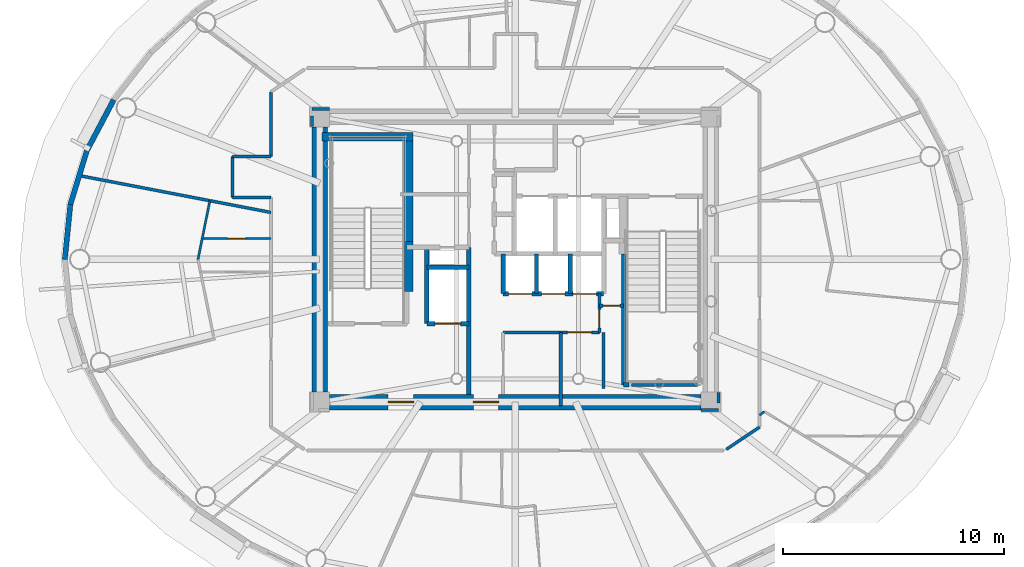
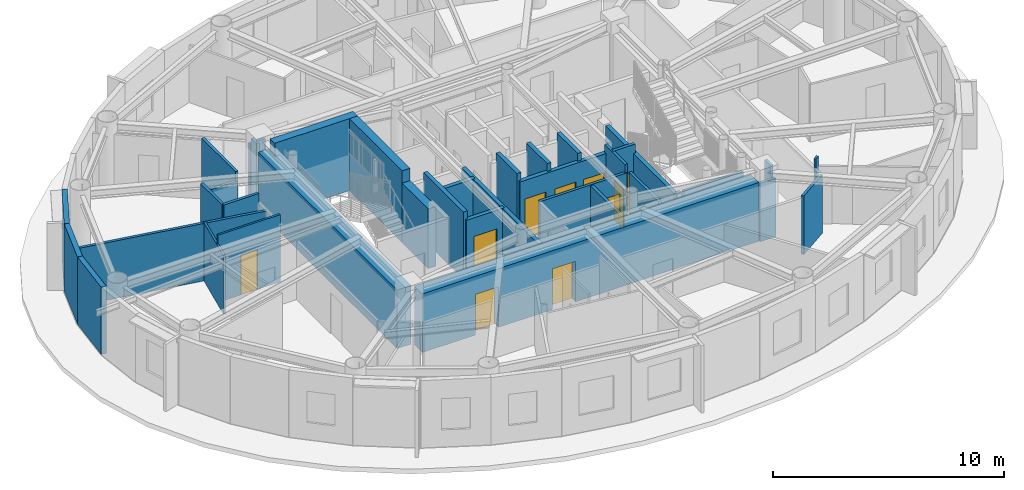
# One storey, part 8 of 17: 37 walls, 10 doors, 10 openings.
"""IFC4 building model written with IfcOpenShell, lengths in metres."""

from ifc_helpers import new_model, si_unit, direction, frame, frame_2d, origin, origin_2d, place, context, subcontext, project, spatial, rectangle, extrude, source, transform, mapped, material, layer, layer_set, type_object, element, fill, save


model = new_model("IFC4")

# Units and contexts
model_context = context("Model", 3, precision=1e-05, world=origin(), true_north=direction((0.0, 1.0)))
body_context = subcontext(model_context, "Body", "Model", "MODEL_VIEW")
ifc_project = project(units=[si_unit("LENGTHUNIT", "METRE"), si_unit("AREAUNIT", "SQUARE_METRE"), si_unit("VOLUMEUNIT", "CUBIC_METRE"), si_unit("PLANEANGLEUNIT", "RADIAN"), si_unit("MASSUNIT", "GRAM", prefix="KILO")], contexts=[model_context])

# Site, building, storey
site_placement = place(None, origin())
site = spatial("IfcSite", under=ifc_project, at=site_placement, CompositionType="ELEMENT")
building_placement = place(site_placement, origin())
building = spatial("IfcBuilding", under=site, at=building_placement, Name="Linh Dai School and Residence Tower", CompositionType="ELEMENT")
storey_placement = place(building_placement, frame((0.0, 0.0, 324.0)))
storey = spatial("IfcBuildingStorey", under=building, at=storey_placement, Name="L80", CompositionType="ELEMENT", Elevation=324.0)

# Walls
ifc_material_1 = material(Name="Precast Concrete B45 (C35/45)", Category="concrete")
ifc_layer_1 = layer(ifc_material_1, 0.239990234375)
ifc_layer_set_1 = layer_set([ifc_layer_1], Name="Precast Concrete B45 (C35/45)")
wall_type_1 = type_object("IfcWallType", Name="EW-TC-240", PredefinedType="SOLIDWALL", material=ifc_layer_set_1)
wall_1_placement = place(storey_placement, frame((16.618896484375, 31.913330078125, 0.0), z_axis=(0.0, 0.0, 1.0), x_axis=(0.467487999989, 0.883999417345, 0.0)))
element("IfcWall", 1, at=wall_1_placement, inside=storey, type_object=wall_type_1, Name="L80 Terracotta Exterior Wall 18", PredefinedType="SOLIDWALL", context=body_context, shape_type="SweptSolid", body=[
    extrude(rectangle(XDim=2.610107421875, YDim=0.239990234375, at=frame_2d((1.30517578125, 0.0))), origin(), (0.0, 0.0, 1.0), 3.550048828125),
])
wall_2_placement = place(storey_placement, frame((15.875, 29.48681640625, 0.0), z_axis=(0.0, 0.0, 1.0), x_axis=(0.293105547213, 0.956080089842, 0.0)))
element("IfcWall", 2, at=wall_2_placement, inside=storey, type_object=wall_type_1, Name="L80 Terracotta Exterior Wall 19", PredefinedType="SOLIDWALL", context=body_context, shape_type="SweptSolid", body=[
    extrude(rectangle(XDim=2.5380859375, YDim=0.239990234375, at=frame_2d((1.26904296875, 0.0))), origin(), (0.0, 0.0, 1.0), 3.550048828125),
])
wall_3_placement = place(storey_placement, frame((15.625, 27.0, 0.0), z_axis=(0.0, 0.0, 1.0), x_axis=(0.100025963401, 0.994984827344, 0.0)))
element("IfcWall", 3, at=wall_3_placement, inside=storey, type_object=wall_type_1, Name="L80 Terracotta Exterior Wall 20", PredefinedType="SOLIDWALL", context=body_context, shape_type="SweptSolid", body=[
    extrude(rectangle(XDim=2.499267578125, YDim=0.239990234375, at=frame_2d((1.24951171875, 0.0))), origin(), (0.0, 0.0, 1.0), 3.550048828125),
])
ifc_material_2 = material(Name="Autoclaved Aerated Concrete Blockwork", Category="masonry")
ifc_layer_2 = layer(ifc_material_2, 0.135009765625)
ifc_layer_set_2 = layer_set([ifc_layer_2], Name="Autoclaved Aerated Concrete Blockwork")
wall_type_2 = type_object("IfcWallType", Name="IW-CORR-135-EI90", PredefinedType="PARTITIONING", material=ifc_layer_set_2)
wall_4_placement = place(storey_placement, frame((16.2705078125, 30.7939453125, 0.0), z_axis=(0.0, 0.0, 1.0), x_axis=(0.982010190218, -0.188827927775, 0.0)))
element("IfcWall", 4, at=wall_4_placement, inside=storey, type_object=wall_type_2, Name="L80 Interior Partition Wall 001", PredefinedType="PARTITIONING", context=body_context, shape_type="SweptSolid", body=[
    extrude(rectangle(XDim=8.83837890625, YDim=0.135009765625, at=frame_2d((4.419189453125, 0.0))), origin(), (0.0, 0.0, 1.0), 3.034912109375),
])
wall_5_placement = place(storey_placement, frame((23.199951171875, 29.800048828125, 0.0), z_axis=(0.0, 0.0, 1.0), x_axis=(0.0, 1.0, 0.0)))
element("IfcWall", 5, at=wall_5_placement, inside=storey, type_object=wall_type_2, Name="L80 Interior Partition Wall 009", PredefinedType="PARTITIONING", context=body_context, shape_type="SweptSolid", body=[
    extrude(rectangle(XDim=1.849853515625, YDim=0.135009765625, at=frame_2d((0.9248046875, 0.0))), origin(), (0.0, 0.0, 1.0), 3.550048828125),
])
wall_6_placement = place(storey_placement, frame((23.199951171875, 29.800048828125, 0.0), z_axis=(0.0, 0.0, 1.0), x_axis=(1.0, 0.0, 0.0)))
element("IfcWall", 6, at=wall_6_placement, inside=storey, type_object=wall_type_2, Name="L80 Interior Partition Wall 010", PredefinedType="PARTITIONING", context=body_context, shape_type="SweptSolid", body=[
    extrude(rectangle(XDim=1.75, YDim=0.135009765625, at=frame_2d((0.875, 0.0))), origin(), (0.0, 0.0, 1.0), 3.550048828125),
])
wall_7_placement = place(storey_placement, frame((23.199951171875, 31.64990234375, 0.0), z_axis=(0.0, 0.0, 1.0), x_axis=(1.0, 0.0, 0.0)))
element("IfcWall", 7, at=wall_7_placement, inside=storey, type_object=wall_type_2, Name="L80 Interior Partition Wall 011", PredefinedType="PARTITIONING", context=body_context, shape_type="SweptSolid", body=[
    extrude(rectangle(XDim=1.75, YDim=0.135009765625, at=frame_2d((0.875, 0.0))), origin(), (0.0, 0.0, 1.0), 3.0849609375),
])
wall_8_placement = place(storey_placement, frame((24.949951171875, 31.64990234375, 0.0), z_axis=(0.0, 0.0, 1.0), x_axis=(0.0, 1.0, 0.0)))
element("IfcWall", 8, at=wall_8_placement, inside=storey, type_object=wall_type_2, Name="L80 Interior Partition Wall 014", PredefinedType="PARTITIONING", context=body_context, shape_type="SweptSolid", body=[
    extrude(rectangle(XDim=2.9326171875, YDim=0.135009765625, at=frame_2d((1.46630859375, 0.0))), origin(), (0.0, 0.0, 1.0), 3.550048828125),
])

# Wall, opening, door
wall_9_placement = place(storey_placement, frame((35.449951171875, 23.699951171875, 0.0), z_axis=(0.0, 0.0, 1.0), x_axis=(1.0, 0.0, 0.0)))
wall_9 = element("IfcWall", 9, at=wall_9_placement, inside=storey, type_object=wall_type_2, Name="L80 Interior Partition Wall 047", PredefinedType="PARTITIONING", context=body_context, shape_type="SweptSolid", body=[
    extrude(rectangle(XDim=4.35009765625, YDim=0.135009765625, at=frame_2d((2.175048828125, 0.0))), origin(), (0.0, 0.0, 1.0), 3.135009765625),
])
opening_1_placement = place(wall_9_placement, frame((2.905029296875, 0.0, 0.0)))
opening_1 = element("IfcOpeningElement", 10, at=opening_1_placement, cuts=wall_9, Name="Opening D07", PredefinedType="OPENING", context=body_context, shape_type="SweptSolid", body=[
    extrude(rectangle(XDim=1.10009765625, YDim=2.14990234375, at=origin_2d()), frame((0.550048828125, 0.07763671875, 1.074951171875), z_axis=(0.0, -1.0, 0.0), x_axis=(1.0, 0.0, 0.0)), (0.0, 0.0, 1.0), 0.155029296875),
])
ifc_material_3 = material(Name="Fire-Rated Louvred Steel Plant Door", Category="steel")
door_type_1 = type_object("IfcDoorType", Name="DR-PLT-1100x2150-FD60S", OperationType="NOTDEFINED", PredefinedType="DOOR", material=ifc_material_3)
shared_shape_1 = source(origin(), body_context, "Body", "SweptSolid", [
    extrude(rectangle(XDim=1.10009765625, YDim=2.14990234375, at=origin_2d()), frame((0.550048828125, 0.02490234375, 1.074951171875), z_axis=(0.0, -1.0, 0.0), x_axis=(1.0, 0.0, 0.0)), (0.0, 0.0, 1.0), 0.050048828125),
])
door_1_placement = place(opening_1_placement, origin())
door_1 = element("IfcDoor", 11, at=door_1_placement, inside=storey, type_object=door_type_1, Name="L80 Telecom Node Room Door", OperationType="SINGLE_SWING_LEFT", OverallHeight=2.14990234375, OverallWidth=1.10009765625, PredefinedType="DOOR", context=body_context, shape_type="MappedRepresentation", body=[
    mapped(shared_shape_1, transform((0.0, 0.0, 0.0), x_axis=(1.0, 0.0, 0.0), y_axis=(0.0, 1.0, 0.0), z_axis=(0.0, 0.0, 1.0), scale=1.0)),
])
fill(opening_1, door_1)

wall_10_placement = place(storey_placement, frame((39.800048828125, 23.699951171875, 0.0), z_axis=(0.0, 0.0, 1.0), x_axis=(0.0, 1.0, 0.0)))
wall_10 = element("IfcWall", 12, at=wall_10_placement, inside=storey, type_object=wall_type_2, Name="L80 Interior Partition Wall 065", PredefinedType="PARTITIONING", context=body_context, shape_type="SweptSolid", body=[
    extrude(rectangle(XDim=1.75, YDim=0.135009765625, at=frame_2d((0.875, 0.0))), origin(), (0.0, 0.0, 1.0), 3.550048828125),
])
opening_2_placement = place(wall_10_placement, frame((0.2099609375, 0.0, 0.0)))
opening_2 = element("IfcOpeningElement", 13, at=opening_2_placement, cuts=wall_10, Name="Opening D06", PredefinedType="OPENING", context=body_context, shape_type="SweptSolid", body=[
    extrude(rectangle(XDim=0.820068359375, YDim=2.10009765625, at=origin_2d()), frame((0.41015625, 0.07763671875, 1.050048828125), z_axis=(0.0, -1.0, 0.0), x_axis=(1.0, 0.0, 0.0)), (0.0, 0.0, 1.0), 0.155029296875),
])
ifc_material_4 = material(Name="Moisture-Resistant Timber Bathroom Door", Category="wood")
door_type_2 = type_object("IfcDoorType", Name="DR-WET-820x2100", OperationType="NOTDEFINED", PredefinedType="DOOR", material=ifc_material_4)
shared_shape_2 = source(origin(), body_context, "Body", "SweptSolid", [
    extrude(rectangle(XDim=0.820068359375, YDim=2.10009765625, at=origin_2d()), frame((0.41015625, 0.02490234375, 1.050048828125), z_axis=(0.0, -1.0, 0.0), x_axis=(1.0, 0.0, 0.0)), (0.0, 0.0, 1.0), 0.050048828125),
])
door_2_placement = place(opening_2_placement, origin())
door_2 = element("IfcDoor", 14, at=door_2_placement, inside=storey, type_object=door_type_2, Name="L80 SE Electrical Closet Door", OperationType="SINGLE_SWING_LEFT", OverallHeight=2.10009765625, OverallWidth=0.820068359375, PredefinedType="DOOR", context=body_context, shape_type="MappedRepresentation", body=[
    mapped(shared_shape_2, transform((0.0, 0.0, 0.0), x_axis=(1.0, 0.0, 0.0), y_axis=(0.0, 1.0, 0.0), z_axis=(0.0, 0.0, 1.0), scale=1.0)),
])
fill(opening_2, door_2)

# Walls
wall_11_placement = place(storey_placement, frame((45.541259765625, 18.408203125, 0.0), z_axis=(0.0, 0.0, 1.0), x_axis=(0.831180227396, 0.556003084151, 0.0)))
element("IfcWall", 15, at=wall_11_placement, inside=storey, type_object=wall_type_2, Name="L80 Interior Partition Wall 072", PredefinedType="PARTITIONING", context=body_context, shape_type="SweptSolid", body=[
    extrude(rectangle(XDim=1.815185546875, YDim=0.135009765625, at=frame_2d((0.90771484375, 0.0))), origin(), (0.0, 0.0, 1.0), 3.0849609375),
])
wall_12_placement = place(storey_placement, frame((44.239990234375, 21.330078125, 0.0), z_axis=(0.0, 0.0, 1.0), x_axis=(-1.0, 0.0, 0.0)))
element("IfcWall", 16, at=wall_12_placement, inside=storey, type_object=wall_type_2, Name="L80 Interior Partition Wall 084", PredefinedType="PARTITIONING", context=body_context, shape_type="SweptSolid", body=[
    extrude(rectangle(XDim=2.97998046875, YDim=0.135009765625, at=frame_2d((1.489990234375, 0.0))), origin(), (0.0, 0.0, 1.0), 3.0849609375),
])
wall_13_placement = place(storey_placement, frame((40.0, 23.699951171875, 0.0), z_axis=(0.0, 0.0, 1.0), x_axis=(0.0, -1.0, 0.0)))
element("IfcWall", 17, at=wall_13_placement, inside=storey, type_object=wall_type_2, Name="L80 Interior Partition Wall 085", PredefinedType="PARTITIONING", context=body_context, shape_type="SweptSolid", body=[
    extrude(rectangle(XDim=2.5400390625, YDim=0.135009765625, at=frame_2d((1.27001953125, 0.0))), origin(), (0.0, 0.0, 1.0), 3.0849609375),
])
wall_14_placement = place(storey_placement, frame((27.590087890625, 33.800048828125, 0.0), z_axis=(0.0, 0.0, 1.0), x_axis=(-1.0, 0.0, 0.0)))
element("IfcWall", 18, at=wall_14_placement, inside=storey, type_object=wall_type_2, Name="L80 Interior Partition Wall 087", PredefinedType="PARTITIONING", context=body_context, shape_type="SweptSolid", body=[
    extrude(rectangle(XDim=0.7900390625, YDim=0.135009765625, at=frame_2d((0.39501953125, 0.0))), origin(), (0.0, 0.0, 1.0), 3.0849609375),
])
wall_15_placement = place(storey_placement, frame((26.800048828125, 33.492431640625, 0.0), z_axis=(0.0, 0.0, 1.0), x_axis=(0.0, -1.0, 0.0)))
element("IfcWall", 19, at=wall_15_placement, inside=storey, type_object=wall_type_2, Name="L80 Interior Partition Wall 088", PredefinedType="PARTITIONING", context=body_context, shape_type="SweptSolid", body=[
    extrude(rectangle(XDim=0.482421875, YDim=0.135009765625, at=frame_2d((0.2412109375, 0.0))), origin(), (0.0, 0.0, 1.0), 3.550048828125),
])
wall_16_placement = place(storey_placement, frame((44.409912109375, 20.199951171875, 0.0), z_axis=(0.0, 0.0, 1.0), x_axis=(1.0, 0.0, 0.0)))
element("IfcWall", 20, at=wall_16_placement, inside=storey, type_object=wall_type_2, Name="L80 Interior Partition Wall 091", PredefinedType="PARTITIONING", context=body_context, shape_type="SweptSolid", body=[
    extrude(rectangle(XDim=0.7900390625, YDim=0.135009765625, at=frame_2d((0.39501953125, 0.0))), origin(), (0.0, 0.0, 1.0), 3.0849609375),
])
wall_17_placement = place(storey_placement, frame((45.199951171875, 20.507568359375, 0.0), z_axis=(0.0, 0.0, 1.0), x_axis=(0.0, 1.0, 0.0)))
element("IfcWall", 21, at=wall_17_placement, inside=storey, type_object=wall_type_2, Name="L80 Interior Partition Wall 092", PredefinedType="PARTITIONING", context=body_context, shape_type="SweptSolid", body=[
    extrude(rectangle(XDim=0.482421875, YDim=0.135009765625, at=frame_2d((0.2412109375, 0.0))), origin(), (0.0, 0.0, 1.0), 3.550048828125),
])
ifc_layer_3 = layer(ifc_material_2, 0.14990234375)
ifc_layer_set_3 = layer_set([ifc_layer_3], Name="Autoclaved Aerated Concrete Blockwork")
wall_type_3 = type_object("IfcWallType", Name="IW-SCH-150-EI60", PredefinedType="PARTITIONING", material=ifc_layer_set_3)
wall_18_placement = place(storey_placement, frame((38.050048828125, 20.3798828125, 0.0), z_axis=(0.0, 0.0, 1.0), x_axis=(0.0, 1.0, 0.0)))
element("IfcWall", 22, at=wall_18_placement, inside=storey, type_object=wall_type_3, Name="L80 Interior Partition Wall 062", PredefinedType="PARTITIONING", context=body_context, shape_type="SweptSolid", body=[
    extrude(rectangle(XDim=3.320068359375, YDim=0.14990234375, at=frame_2d((1.66015625, 0.0))), origin(), (0.0, 0.0, 1.0), 3.0849609375),
])

# Wall, opening, door
wall_19_placement = place(storey_placement, frame((39.800048828125, 24.89990234375, 0.0), z_axis=(0.0, 0.0, 1.0), x_axis=(1.0, 0.0, 0.0)))
wall_19 = element("IfcWall", 23, at=wall_19_placement, inside=storey, type_object=wall_type_3, Name="L80 Interior Partition Wall 066", PredefinedType="PARTITIONING", context=body_context, shape_type="SweptSolid", body=[
    extrude(rectangle(XDim=1.099853515625, YDim=0.14990234375, at=frame_2d((0.5498046875, 0.0))), origin(), (0.0, 0.0, 1.0), 3.550048828125),
])
opening_3_placement = place(wall_19_placement, frame((0.169921875, 0.0, 0.0)))
opening_3 = element("IfcOpeningElement", 24, at=opening_3_placement, cuts=wall_19, Name="Opening D08", PredefinedType="OPENING", context=body_context, shape_type="SweptSolid", body=[
    extrude(rectangle(XDim=0.760009765625, YDim=2.10009765625, at=origin_2d()), frame((0.3798828125, 0.0849609375, 1.050048828125), z_axis=(0.0, -1.0, 0.0), x_axis=(1.0, 0.0, 0.0)), (0.0, 0.0, 1.0), 0.169921875),
])
ifc_material_5 = material(Name="Engineered Timber Closet and Study Door", Category="wood")
door_type_3 = type_object("IfcDoorType", Name="DR-CMP-760x2100", OperationType="NOTDEFINED", PredefinedType="DOOR", material=ifc_material_5)
shared_shape_3 = source(origin(), body_context, "Body", "SweptSolid", [
    extrude(rectangle(XDim=0.760009765625, YDim=2.10009765625, at=origin_2d()), frame((0.3798828125, 0.02490234375, 1.050048828125), z_axis=(0.0, -1.0, 0.0), x_axis=(1.0, 0.0, 0.0)), (0.0, 0.0, 1.0), 0.050048828125),
])
door_3_placement = place(opening_3_placement, origin())
door_3 = element("IfcDoor", 25, at=door_3_placement, inside=storey, type_object=door_type_3, Name="L80 NE Equipment Store Door", OperationType="SINGLE_SWING_RIGHT", OverallHeight=2.10009765625, OverallWidth=0.760009765625, PredefinedType="DOOR", context=body_context, shape_type="MappedRepresentation", body=[
    mapped(shared_shape_3, transform((0.0, 0.0, 0.0), x_axis=(1.0, 0.0, 0.0), y_axis=(0.0, 1.0, 0.0), z_axis=(0.0, 0.0, 1.0), scale=1.0)),
])
fill(opening_3, door_3)

# Wall
ifc_material_6 = material(Name="Concrete B45 (C35/45)", Category="concrete")
ifc_layer_4 = layer(ifc_material_6, 0.199951171875)
ifc_layer_set_4 = layer_set([ifc_layer_4], Name="Concrete B45 (C35/45)")
wall_type_4 = type_object("IfcWallType", Name="IW-SHAFT-200-EI120", PredefinedType="PARTITIONING", material=ifc_layer_set_4)
wall_20_placement = place(storey_placement, frame((32.0, 24.10009765625, 0.0), z_axis=(0.0, 0.0, 1.0), x_axis=(0.0, 1.0, 0.0)))
element("IfcWall", 26, at=wall_20_placement, inside=storey, type_object=wall_type_4, Name="L80 Interior Partition Wall 029", PredefinedType="PARTITIONING", context=body_context, shape_type="SweptSolid", body=[
    extrude(rectangle(XDim=3.449951171875, YDim=0.199951171875, at=frame_2d((1.72509765625, 0.0))), origin(), (0.0, 0.0, 1.0), 3.550048828125),
])

# Wall, opening, door
wall_21_placement = place(storey_placement, frame((32.0, 24.10009765625, 0.0), z_axis=(0.0, 0.0, 1.0), x_axis=(1.0, 0.0, 0.0)))
wall_21 = element("IfcWall", 27, at=wall_21_placement, inside=storey, type_object=wall_type_4, Name="L80 Interior Partition Wall 030", PredefinedType="PARTITIONING", context=body_context, shape_type="SweptSolid", body=[
    extrude(rectangle(XDim=1.89990234375, YDim=0.199951171875, at=frame_2d((0.949951171875, 0.0))), origin(), (0.0, 0.0, 1.0), 3.135009765625),
])
opening_4_placement = place(wall_21_placement, frame((0.375, 0.0, 0.0)))
opening_4 = element("IfcOpeningElement", 28, at=opening_4_placement, cuts=wall_21, Name="Opening LD-FF2", PredefinedType="OPENING", context=body_context, shape_type="SweptSolid", body=[
    extrude(rectangle(XDim=1.14990234375, YDim=2.14990234375, at=origin_2d()), frame((0.574951171875, 0.10986328125, 1.074951171875), z_axis=(0.0, -1.0, 0.0), x_axis=(1.0, 0.0, 0.0)), (0.0, 0.0, 1.0), 0.219970703125),
])
ifc_material_7 = material(Name="Fire-Rated Stainless Steel Firefighting Lift Door", Category="steel")
door_type_4 = type_object("IfcDoorType", Name="DR-LD-FF-1150x2150-FD120", OperationType="DOUBLE_DOOR_SLIDING", PredefinedType="USERDEFINED", material=ifc_material_7)
shared_shape_4 = source(origin(), body_context, "Body", "SweptSolid", [
    extrude(rectangle(XDim=1.14990234375, YDim=2.14990234375, at=origin_2d()), frame((0.574951171875, 0.02490234375, 1.074951171875), z_axis=(0.0, -1.0, 0.0), x_axis=(1.0, 0.0, 0.0)), (0.0, 0.0, 1.0), 0.050048828125),
])
door_4_placement = place(opening_4_placement, origin())
door_4 = element("IfcDoor", 29, at=door_4_placement, inside=storey, type_object=door_type_4, Name="L80 Lift FF2 Sliding Landing Door", ObjectType="LANDING DOOR", OperationType="DOUBLE_DOOR_SLIDING", OverallHeight=2.14990234375, OverallWidth=1.14990234375, PredefinedType="USERDEFINED", context=body_context, shape_type="MappedRepresentation", body=[
    mapped(shared_shape_4, transform((0.0, 0.0, 0.0), x_axis=(1.0, 0.0, 0.0), y_axis=(0.0, 1.0, 0.0), z_axis=(0.0, 0.0, 1.0), scale=1.0)),
])
fill(opening_4, door_4)

# Walls
wall_22_placement = place(storey_placement, frame((32.0, 26.64990234375, 0.0), z_axis=(0.0, 0.0, 1.0), x_axis=(1.0, 0.0, 0.0)))
element("IfcWall", 30, at=wall_22_placement, inside=storey, type_object=wall_type_4, Name="L80 Interior Partition Wall 031", PredefinedType="PARTITIONING", context=body_context, shape_type="SweptSolid", body=[
    extrude(rectangle(XDim=1.89990234375, YDim=0.199951171875, at=frame_2d((0.949951171875, 0.0))), origin(), (0.0, 0.0, 1.0), 3.135009765625),
])
wall_23_placement = place(storey_placement, frame((33.89990234375, 20.89990234375, 0.0), z_axis=(0.0, 0.0, 1.0), x_axis=(0.0, 1.0, 0.0)))
element("IfcWall", 31, at=wall_23_placement, inside=storey, type_object=wall_type_4, Name="L80 Interior Partition Wall 033", PredefinedType="PARTITIONING", context=body_context, shape_type="SweptSolid", body=[
    extrude(rectangle(XDim=6.650146484375, YDim=0.199951171875, at=frame_2d((3.3251953125, 0.0))), origin(), (0.0, 0.0, 1.0), 3.135009765625),
])
wall_24_placement = place(storey_placement, frame((35.449951171875, 25.449951171875, 0.0), z_axis=(0.0, 0.0, 1.0), x_axis=(0.0, 1.0, 0.0)))
element("IfcWall", 32, at=wall_24_placement, inside=storey, type_object=wall_type_4, Name="L80 Interior Partition Wall 048", PredefinedType="PARTITIONING", context=body_context, shape_type="SweptSolid", body=[
    extrude(rectangle(XDim=1.800048828125, YDim=0.199951171875, at=frame_2d((0.89990234375, 0.0))), origin(), (0.0, 0.0, 1.0), 3.550048828125),
])

# Wall, openings, doors
wall_25_placement = place(storey_placement, frame((35.449951171875, 25.449951171875, 0.0), z_axis=(0.0, 0.0, 1.0), x_axis=(1.0, 0.0, 0.0)))
wall_25 = element("IfcWall", 33, at=wall_25_placement, inside=storey, type_object=wall_type_4, Name="L80 Interior Partition Wall 049", PredefinedType="PARTITIONING", context=body_context, shape_type="SweptSolid", body=[
    extrude(rectangle(XDim=4.550048828125, YDim=0.199951171875, at=frame_2d((2.27490234375, 0.0))), origin(), (0.0, 0.0, 1.0), 3.135009765625),
])
opening_5_placement = place(wall_25_placement, frame((0.25, 0.0, 0.0)))
opening_5 = element("IfcOpeningElement", 34, at=opening_5_placement, cuts=wall_25, Name="Opening LD-PL7", PredefinedType="OPENING", context=body_context, shape_type="SweptSolid", body=[
    extrude(rectangle(XDim=1.050048828125, YDim=2.14990234375, at=origin_2d()), frame((0.52490234375, 0.10986328125, 1.074951171875), z_axis=(0.0, -1.0, 0.0), x_axis=(1.0, 0.0, 0.0)), (0.0, 0.0, 1.0), 0.219970703125),
])
opening_6_placement = place(wall_25_placement, frame((1.7451171875, 0.0, 0.0)))
opening_6 = element("IfcOpeningElement", 35, at=opening_6_placement, cuts=wall_25, Name="Opening LD-PL8", PredefinedType="OPENING", context=body_context, shape_type="SweptSolid", body=[
    extrude(rectangle(XDim=1.050048828125, YDim=2.14990234375, at=origin_2d()), frame((0.52490234375, 0.10986328125, 1.074951171875), z_axis=(0.0, -1.0, 0.0), x_axis=(1.0, 0.0, 0.0)), (0.0, 0.0, 1.0), 0.219970703125),
])
opening_7_placement = place(wall_25_placement, frame((3.1650390625, 0.0, 0.0)))
opening_7 = element("IfcOpeningElement", 36, at=opening_7_placement, cuts=wall_25, Name="Opening LD-PL9", PredefinedType="OPENING", context=body_context, shape_type="SweptSolid", body=[
    extrude(rectangle(XDim=1.050048828125, YDim=2.14990234375, at=origin_2d()), frame((0.52490234375, 0.10986328125, 1.074951171875), z_axis=(0.0, -1.0, 0.0), x_axis=(1.0, 0.0, 0.0)), (0.0, 0.0, 1.0), 0.219970703125),
])
ifc_material_8 = material(Name="Brushed Stainless Steel Lift Landing Door", Category="steel")
door_type_5 = type_object("IfcDoorType", Name="DR-LD-PASS-1050x2150", OperationType="DOUBLE_DOOR_SLIDING", PredefinedType="USERDEFINED", material=ifc_material_8)
shared_shape_5 = source(origin(), body_context, "Body", "SweptSolid", [
    extrude(rectangle(XDim=1.050048828125, YDim=2.14990234375, at=origin_2d()), frame((0.52490234375, 0.02490234375, 1.074951171875), z_axis=(0.0, -1.0, 0.0), x_axis=(1.0, 0.0, 0.0)), (0.0, 0.0, 1.0), 0.050048828125),
])
door_5_placement = place(opening_5_placement, origin())
door_5 = element("IfcDoor", 37, at=door_5_placement, inside=storey, type_object=door_type_5, Name="L80 Lift PL7 Sliding Landing Door", ObjectType="LANDING DOOR", OperationType="DOUBLE_DOOR_SLIDING", OverallHeight=2.14990234375, OverallWidth=1.050048828125, PredefinedType="USERDEFINED", context=body_context, shape_type="MappedRepresentation", body=[
    mapped(shared_shape_5, transform((0.0, 0.0, 0.0), x_axis=(1.0, 0.0, 0.0), y_axis=(0.0, 1.0, 0.0), z_axis=(0.0, 0.0, 1.0), scale=1.0)),
])
fill(opening_5, door_5)
door_6_placement = place(opening_6_placement, origin())
door_6 = element("IfcDoor", 38, at=door_6_placement, inside=storey, type_object=door_type_5, Name="L80 Lift PL8 Sliding Landing Door", ObjectType="LANDING DOOR", OperationType="DOUBLE_DOOR_SLIDING", OverallHeight=2.14990234375, OverallWidth=1.050048828125, PredefinedType="USERDEFINED", context=body_context, shape_type="MappedRepresentation", body=[
    mapped(shared_shape_5, transform((0.0, 0.0, 0.0), x_axis=(1.0, 0.0, 0.0), y_axis=(0.0, 1.0, 0.0), z_axis=(0.0, 0.0, 1.0), scale=1.0)),
])
fill(opening_6, door_6)
door_7_placement = place(opening_7_placement, origin())
door_7 = element("IfcDoor", 39, at=door_7_placement, inside=storey, type_object=door_type_5, Name="L80 Lift PL9 Sliding Landing Door", ObjectType="LANDING DOOR", OperationType="DOUBLE_DOOR_SLIDING", OverallHeight=2.14990234375, OverallWidth=1.050048828125, PredefinedType="USERDEFINED", context=body_context, shape_type="MappedRepresentation", body=[
    mapped(shared_shape_5, transform((0.0, 0.0, 0.0), x_axis=(1.0, 0.0, 0.0), y_axis=(0.0, 1.0, 0.0), z_axis=(0.0, 0.0, 1.0), scale=1.0)),
])
fill(opening_7, door_7)

# Walls
for number, where, z_axis, x_axis, name in (
    (40, (36.9599609375, 25.449951171875, 0.0), (0.0, 0.0, 1.0), (0.0, 1.0, 0.0), "L80 Interior Partition Wall 059"),
    (41, (38.47998046875, 25.449951171875, 0.0), (0.0, 0.0, 1.0), (0.0, 1.0, 0.0), "L80 Interior Partition Wall 064"),
):
    element("IfcWall", number, at=place(storey_placement, frame(where, z_axis=z_axis, x_axis=x_axis)), inside=storey, type_object=wall_type_4, Name=name, PredefinedType="PARTITIONING", context=body_context, shape_type="SweptSolid", body=[
        extrude(rectangle(XDim=1.800048828125, YDim=0.199951171875, at=frame_2d((0.89990234375, 0.0))), origin(), (0.0, 0.0, 1.0), 3.550048828125),
    ])
wall_26_placement = place(storey_placement, frame((40.89990234375, 21.330078125, 0.0), z_axis=(0.0, 0.0, 1.0), x_axis=(0.0, 1.0, 0.0)))
element("IfcWall", 42, at=wall_26_placement, inside=storey, type_object=wall_type_4, Name="L80 Interior Partition Wall 069", PredefinedType="PARTITIONING", context=body_context, shape_type="SweptSolid", body=[
    extrude(rectangle(XDim=5.909912109375, YDim=0.199951171875, at=frame_2d((2.955078125, 0.0))), origin(), (0.0, 0.0, 1.0), 3.0849609375),
])
wall_27_placement = place(storey_placement, frame((40.89990234375, 21.330078125, 0.0), z_axis=(0.0, 0.0, 1.0), x_axis=(1.0, 0.0, 0.0)))
element("IfcWall", 43, at=wall_27_placement, inside=storey, type_object=wall_type_4, Name="L80 Interior Partition Wall 070", PredefinedType="PARTITIONING", context=body_context, shape_type="SweptSolid", body=[
    extrude(rectangle(XDim=0.25, YDim=0.199951171875, at=frame_2d((0.125, 0.0))), origin(), (0.0, 0.0, 1.0), 3.0849609375),
])
ifc_material_9 = material(Name="Gypsum Plasterboard Acoustic Stud Partition", Category="masonry")
ifc_layer_5 = layer(ifc_material_9, 0.10009765625)
ifc_layer_set_5 = layer_set([ifc_layer_5], Name="Gypsum Plasterboard Acoustic Stud Partition")
wall_type_5 = type_object("IfcWallType", Name="IW-UNIT-100", PredefinedType="PARTITIONING", material=ifc_layer_set_5)
wall_28_placement = place(storey_placement, frame((21.64990234375, 27.0, 0.0), z_axis=(0.0, 0.0, 1.0), x_axis=(0.198281206713, 0.980145174484, 0.0)))
element("IfcWall", 44, at=wall_28_placement, inside=storey, type_object=wall_type_5, Name="L80 Interior Partition Wall 004", PredefinedType="PARTITIONING", context=body_context, shape_type="SweptSolid", body=[
    extrude(rectangle(XDim=2.7099609375, YDim=0.10009765625, at=frame_2d((1.35498046875, 0.0))), origin(), (0.0, 0.0, 1.0), 3.0849609375),
])

# Wall, opening, door
wall_29_placement = place(storey_placement, frame((21.84033203125, 27.940673828125, 0.0), z_axis=(0.0, 0.0, 1.0), x_axis=(1.0, 0.0, 0.0)))
wall_29 = element("IfcWall", 45, at=wall_29_placement, inside=storey, type_object=wall_type_5, Name="L80 Interior Partition Wall 007", PredefinedType="PARTITIONING", context=body_context, shape_type="SweptSolid", body=[
    extrude(rectangle(XDim=3.109619140625, YDim=0.10009765625, at=frame_2d((1.5546875, 0.0))), origin(), (0.0, 0.0, 1.0), 3.550048828125),
])
opening_8_placement = place(wall_29_placement, frame((1.14501953125, 0.0, 0.0)))
opening_8 = element("IfcOpeningElement", 46, at=opening_8_placement, cuts=wall_29, Name="Opening D06", PredefinedType="OPENING", context=body_context, shape_type="SweptSolid", body=[
    extrude(rectangle(XDim=0.820068359375, YDim=2.10009765625, at=origin_2d()), frame((0.41015625, 0.06005859375, 1.050048828125), z_axis=(0.0, -1.0, 0.0), x_axis=(1.0, 0.0, 0.0)), (0.0, 0.0, 1.0), 0.1201171875),
])
door_8_placement = place(opening_8_placement, origin())
door_8 = element("IfcDoor", 47, at=door_8_placement, inside=storey, type_object=door_type_2, Name="L80 Apartment U8002 Bathroom 1 Door", OperationType="SINGLE_SWING_RIGHT", OverallHeight=2.10009765625, OverallWidth=0.820068359375, PredefinedType="DOOR", context=body_context, shape_type="MappedRepresentation", body=[
    mapped(shared_shape_2, transform((0.0, 0.0, 0.0), x_axis=(1.0, 0.0, 0.0), y_axis=(0.0, 1.0, 0.0), z_axis=(0.0, 0.0, 1.0), scale=1.0)),
])
fill(opening_8, door_8)

# Walls
wall_30_placement = place(storey_placement, frame((47.050048828125, 19.9560546875, 0.0), z_axis=(0.0, 0.0, 1.0), x_axis=(0.787352373383, 0.616503236105, 0.0)))
element("IfcWall", 48, at=wall_30_placement, inside=storey, type_object=wall_type_5, Name="L80 Interior Partition Wall 075", PredefinedType="PARTITIONING", context=body_context, shape_type="SweptSolid", body=[
    extrude(rectangle(XDim=0.27001953125, YDim=0.10009765625, at=frame_2d((0.135009765625, 0.0))), origin(), (0.0, 0.0, 1.0), 3.550048828125),
])
ifc_layer_6 = layer(ifc_material_6, 0.39990234375)
ifc_layer_set_6 = layer_set([ifc_layer_6], Name="Concrete B45 (C35/45)")
wall_type_6 = type_object("IfcWallType", Name="WL-CORE400", PredefinedType="SHEAR", material=ifc_layer_set_6)
wall_31_placement = place(storey_placement, frame((31.179931640625, 27.800048828125, 0.0), z_axis=(0.0, 0.0, 1.0), x_axis=(0.0, 1.0, 0.0)))
element("IfcWall", 49, at=wall_31_placement, inside=storey, type_object=wall_type_6, Name="L80 Core Stair ST1 Bearing Wall E", PredefinedType="SHEAR", context=body_context, shape_type="SweptSolid", body=[
    extrude(rectangle(XDim=4.75, YDim=0.39990234375, at=frame_2d((2.375, 0.0))), origin(), (0.0, 0.0, 1.0), 3.800048828125),
])
wall_32_placement = place(storey_placement, frame((27.25, 32.550048828125, 0.0), z_axis=(0.0, 0.0, 1.0), x_axis=(1.0, 0.0, 0.0)))
element("IfcWall", 50, at=wall_32_placement, inside=storey, type_object=wall_type_6, Name="L80 Core Stair ST1 Bearing Wall N", PredefinedType="SHEAR", context=body_context, shape_type="SweptSolid", body=[
    extrude(rectangle(XDim=4.1298828125, YDim=0.39990234375, at=frame_2d((2.06494140625, 0.0))), origin(), (0.0, 0.0, 1.0), 3.800048828125),
])
wall_33_placement = place(storey_placement, frame((31.179931640625, 25.550048828125, 0.0), z_axis=(0.0, 0.0, 1.0), x_axis=(0.0, 1.0, 0.0)))
element("IfcWall", 51, at=wall_33_placement, inside=storey, type_object=wall_type_6, Name="L80 Internal Core Shear Wall IW", PredefinedType="SHEAR", context=body_context, shape_type="SweptSolid", body=[
    extrude(rectangle(XDim=2.25, YDim=0.39990234375, at=frame_2d((1.125, 0.0))), origin(), (0.0, 0.0, 1.0), 3.14990234375),
])

# Wall, openings, doors
ifc_layer_7 = layer(ifc_material_6, 0.699951171875)
ifc_layer_set_7 = layer_set([ifc_layer_7], Name="Concrete B45 (C35/45)")
wall_type_7 = type_object("IfcWallType", Name="WL-CORE700", PredefinedType="SHEAR", material=ifc_layer_set_7)
wall_34_placement = place(storey_placement, frame((44.39990234375, 20.550048828125, 0.0), z_axis=(0.0, 0.0, 1.0), x_axis=(-1.0, 0.0, 0.0)))
wall_34 = element("IfcWall", 52, at=wall_34_placement, inside=storey, type_object=wall_type_7, Name="L80 Central Core Shear Wall S", PredefinedType="SHEAR", context=body_context, shape_type="SweptSolid", body=[
    extrude(rectangle(XDim=16.7998046875, YDim=0.699951171875, at=frame_2d((8.39990234375, 0.0))), origin(), (0.0, 0.0, 1.0), 3.10009765625),
])
opening_9_placement = place(wall_34_placement, frame((13.0, 0.0, 0.0)))
opening_9 = element("IfcOpeningElement", 53, at=opening_9_placement, cuts=wall_34, Name="Opening D02", PredefinedType="OPENING", context=body_context, shape_type="SweptSolid", body=[
    extrude(rectangle(XDim=1.14990234375, YDim=2.14990234375, at=origin_2d()), frame((0.574951171875, 0.35986328125, 1.074951171875), z_axis=(0.0, -1.0, 0.0), x_axis=(1.0, 0.0, 0.0)), (0.0, 0.0, 1.0), 0.719970703125),
])
opening_10_placement = place(wall_34_placement, frame((9.14990234375, 0.0, 0.0)))
opening_10 = element("IfcOpeningElement", 54, at=opening_10_placement, cuts=wall_34, Name="Opening D02", PredefinedType="OPENING", context=body_context, shape_type="SweptSolid", body=[
    extrude(rectangle(XDim=1.14990234375, YDim=2.14990234375, at=origin_2d()), frame((0.574951171875, 0.35986328125, 1.074951171875), z_axis=(0.0, -1.0, 0.0), x_axis=(1.0, 0.0, 0.0)), (0.0, 0.0, 1.0), 0.719970703125),
])
ifc_material_10 = material(Name="Fire-Rated Glazed Steel Lobby Door", Category="steel")
door_type_6 = type_object("IfcDoorType", Name="DR-LOBBY-1150x2150-FD90S", OperationType="NOTDEFINED", PredefinedType="DOOR", material=ifc_material_10)
shared_shape_6 = source(origin(), body_context, "Body", "SweptSolid", [
    extrude(rectangle(XDim=1.14990234375, YDim=2.14990234375, at=origin_2d()), frame((0.574951171875, 0.02490234375, 1.074951171875), z_axis=(0.0, -1.0, 0.0), x_axis=(1.0, 0.0, 0.0)), (0.0, 0.0, 1.0), 0.050048828125),
])
door_9_placement = place(opening_9_placement, origin())
door_9 = element("IfcDoor", 55, at=door_9_placement, inside=storey, type_object=door_type_6, Name="L80 Firefighting Lobby Door", OperationType="SINGLE_SWING_RIGHT", OverallHeight=2.14990234375, OverallWidth=1.14990234375, PredefinedType="DOOR", context=body_context, shape_type="MappedRepresentation", body=[
    mapped(shared_shape_6, transform((0.0, 0.0, 0.0), x_axis=(1.0, 0.0, 0.0), y_axis=(0.0, 1.0, 0.0), z_axis=(0.0, 0.0, 1.0), scale=1.0)),
])
fill(opening_9, door_9)
door_10_placement = place(opening_10_placement, origin())
door_10 = element("IfcDoor", 56, at=door_10_placement, inside=storey, type_object=door_type_6, Name="L80 Passenger Foyer Access Door", OperationType="SINGLE_SWING_RIGHT", OverallHeight=2.14990234375, OverallWidth=1.14990234375, PredefinedType="DOOR", context=body_context, shape_type="MappedRepresentation", body=[
    mapped(shared_shape_6, transform((0.0, 0.0, 0.0), x_axis=(1.0, 0.0, 0.0), y_axis=(0.0, 1.0, 0.0), z_axis=(0.0, 0.0, 1.0), scale=1.0)),
])
fill(opening_10, door_10)

# Wall
wall_35_placement = place(storey_placement, frame((27.14990234375, 21.0, 0.0), z_axis=(0.0, 0.0, 1.0), x_axis=(0.0, 1.0, 0.0)))
element("IfcWall", 57, at=wall_35_placement, inside=storey, type_object=wall_type_7, Name="L80 Central Core Shear Wall W", PredefinedType="SHEAR", context=body_context, shape_type="SweptSolid", body=[
    extrude(rectangle(XDim=12.0, YDim=0.699951171875, at=frame_2d((6.0, 0.0))), origin(), (0.0, 0.0, 1.0), 3.10009765625),
])

save(model, "model.ifc")
